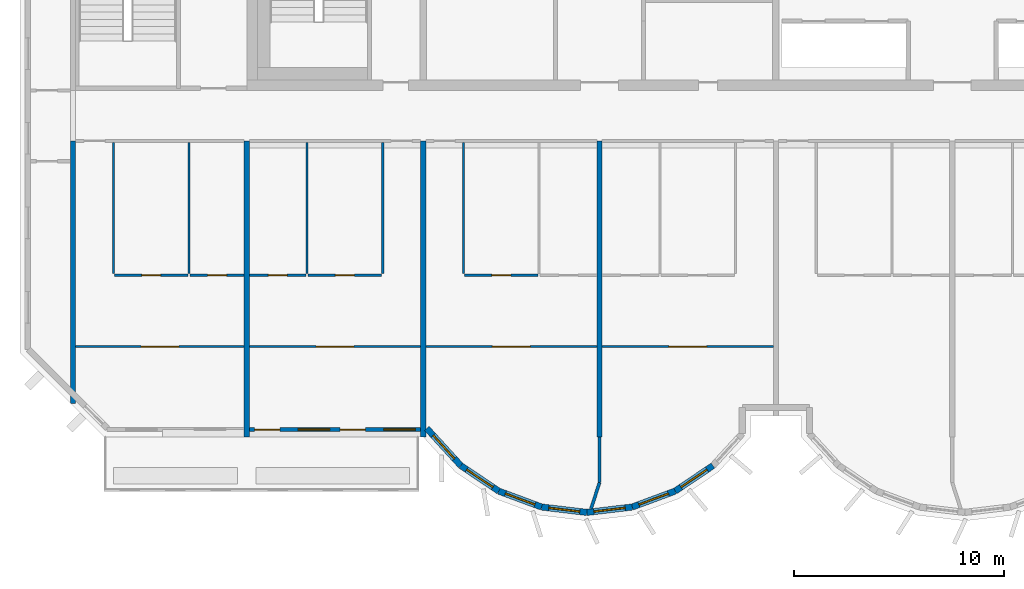
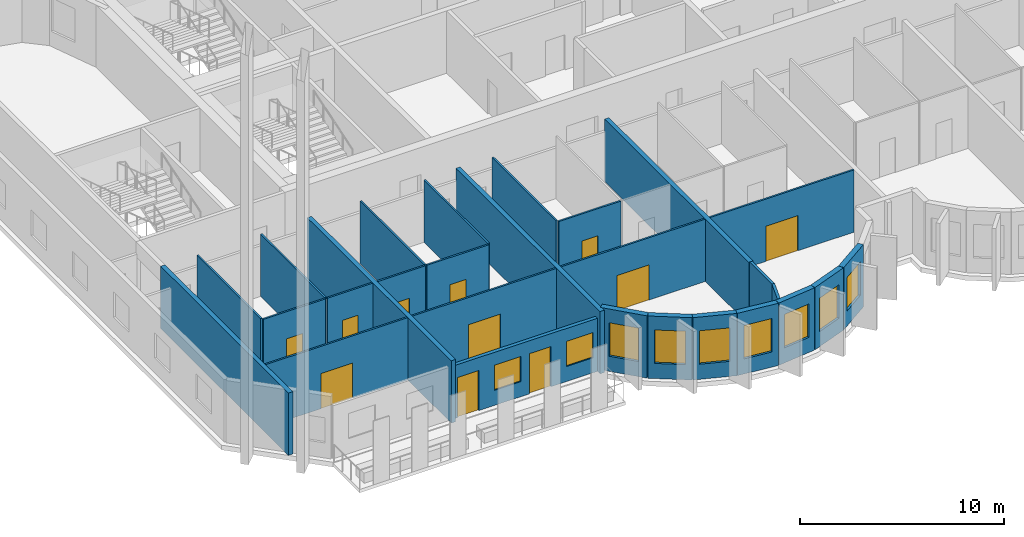
# One storey, part 2 of 13: 28 walls, 11 doors, 9 windows, 20 openings.
"""IFC4 building model written with IfcOpenShell, lengths in metres."""

import ifcopenshell
import ifcopenshell.guid

model = None  # the IFC model being written
_history = None  # IfcOwnerHistory: only IFC2X3 demands one
_inside = {}  # id of a spatial element -> (the spatial element, [elements in it])
_under = {}  # id of a project, library or spatial element -> (it, [spatial elements below it])
_declared = {}  # id of a project -> (the project, [libraries it declares])
_typed = {}  # id of a type object -> (the type object, [elements of that type])
_made_of = {}  # id of a material, layer set ... -> (it, [elements and type objects made of it])


def new_model(schema):
    """Start an empty IFC model of exactly this schema.

    Asked for "IFC4X3", IfcOpenShell would pick the latest addendum, in which some entities
    have other attributes; the version numbers below select the first issue.
    IFC2X3 requires an IfcOwnerHistory on every rooted entity: one is made here for all.
    """
    global model, _history
    if schema == "IFC4X3":
        model = ifcopenshell.file(schema_version=(4, 3, 0, 0))
    else:
        model = ifcopenshell.file(schema=schema)
    _inside.clear()
    _under.clear()
    _declared.clear()
    _typed.clear()
    _made_of.clear()
    _history = None
    if model.schema == "IFC2X3":
        org = make("IfcOrganization", Name="unknown")
        user = make(
            "IfcPersonAndOrganization",
            ThePerson=make("IfcPerson", FamilyName="unknown"),
            TheOrganization=org,
        )
        app = make(
            "IfcApplication",
            ApplicationDeveloper=org,
            Version="unknown",
            ApplicationFullName="unknown",
            ApplicationIdentifier="unknown",
        )
        _history = make(
            "IfcOwnerHistory",
            OwningUser=user,
            OwningApplication=app,
            ChangeAction="ADDED",
            CreationDate=0,
        )
    return model


def make(cls, **values):
    """One entity of the class cls with the attributes given. An attribute that is None is left unset."""
    return model.create_entity(
        cls, **{name: value for name, value in values.items() if value is not None}
    )


def rooted(cls, **values):
    """An entity with a GlobalId (a new one), such as an element, a storey or a relation."""
    return make(cls, GlobalId=ifcopenshell.guid.new(), OwnerHistory=_history, **values)


def si_unit(unit_type, name, prefix=None):
    """IfcSIUnit, for example si_unit("LENGTHUNIT", "METRE", prefix="MILLI")."""
    return make("IfcSIUnit", UnitType=unit_type, Prefix=prefix, Name=name)


def assignment(units):
    """IfcUnitAssignment: the units of a project."""
    return None if units is None else make("IfcUnitAssignment", Units=units)


def point(xyz):
    """IfcCartesianPoint."""
    return None if xyz is None else make("IfcCartesianPoint", Coordinates=xyz)


def direction(xyz):
    """IfcDirection."""
    return None if xyz is None else make("IfcDirection", DirectionRatios=xyz)


def frame(location, z_axis=None, x_axis=None):
    """IfcAxis2Placement3D, a coordinate frame: its origin and axes. An axis left out is left unset."""
    return make(
        "IfcAxis2Placement3D",
        Location=point(location),
        Axis=direction(z_axis),
        RefDirection=direction(x_axis),
    )


def frame_2d(location, x_axis=None):
    """IfcAxis2Placement2D, a coordinate frame in the plane: its origin and x axis."""
    return make(
        "IfcAxis2Placement2D", Location=point(location), RefDirection=direction(x_axis)
    )


def origin():
    """The frame at (0, 0, 0) with its axes left unset."""
    return frame((0.0, 0.0, 0.0))


def place(relative_to, where):
    """IfcLocalPlacement: puts the frame where relative to a parent placement (None: the world)."""
    return make(
        "IfcLocalPlacement", PlacementRelTo=relative_to, RelativePlacement=where
    )


def context(
    kind, dimensions, precision=None, world=None, true_north=None, identifier=None
):
    """IfcGeometricRepresentationContext, for example the 3D "Model" context."""
    return make(
        "IfcGeometricRepresentationContext",
        ContextIdentifier=identifier,
        ContextType=kind,
        CoordinateSpaceDimension=dimensions,
        Precision=precision,
        WorldCoordinateSystem=world,
        TrueNorth=true_north,
    )


def subcontext(parent, identifier, kind, view, scale=None):
    """IfcGeometricRepresentationSubContext, for example "Body" below "Model"."""
    return make(
        "IfcGeometricRepresentationSubContext",
        ContextIdentifier=identifier,
        ContextType=kind,
        ParentContext=parent,
        TargetScale=scale,
        TargetView=view,
    )


def project(units=None, contexts=None):
    """IfcProject with its units and contexts."""
    return rooted(
        "IfcProject",
        Name="project",
        RepresentationContexts=contexts,
        UnitsInContext=assignment(units),
    )


def spatial(cls, under=None, at=None, **own):
    """A site, building, storey or space (cls), placed at a placement, below another one or the project."""
    s = rooted(cls, ObjectPlacement=at, **own)
    if under is not None:
        _under.setdefault(under.id(), (under, []))[1].append(s)
    return s


def profile(cls, at=None, kind="AREA", **sizes):
    """A parametric profile (cls). Its sizes go by their IFC names, for example OverallWidth=200.0."""
    return make(cls, ProfileType=kind, Position=at, **sizes)


def rectangle(**sizes):
    """IfcRectangleProfileDef."""
    return profile("IfcRectangleProfileDef", **sizes)


def extrude(swept, where, along, depth):
    """IfcExtrudedAreaSolid: the profile swept, set in the frame where, extruded along a direction by depth."""
    return make(
        "IfcExtrudedAreaSolid",
        SweptArea=swept,
        Position=where,
        ExtrudedDirection=direction(along),
        Depth=depth,
    )


def shape(context_of_items, identifier, shape_type, items):
    """IfcShapeRepresentation: the items that make up one representation, for example the "Body"."""
    return make(
        "IfcShapeRepresentation",
        ContextOfItems=context_of_items,
        RepresentationIdentifier=identifier,
        RepresentationType=shape_type,
        Items=items,
    )


def source(mapping_origin, context_of_items, identifier, shape_type, items):
    """IfcRepresentationMap: a shape defined once, which mapped items show again and again."""
    return make(
        "IfcRepresentationMap",
        MappingOrigin=mapping_origin,
        MappedRepresentation=shape(context_of_items, identifier, shape_type, items),
    )


def transform(
    local_origin,
    x_axis=None,
    y_axis=None,
    z_axis=None,
    scale=None,
    scale2=None,
    scale3=None,
    uniform=True,
):
    """IfcCartesianTransformationOperator3D, or its non-uniform kind. x_axis, y_axis, z_axis: its Axis1, 2, 3."""
    if uniform:
        return make(
            "IfcCartesianTransformationOperator3D",
            Axis1=direction(x_axis),
            Axis2=direction(y_axis),
            LocalOrigin=point(local_origin),
            Scale=scale,
            Axis3=direction(z_axis),
        )
    return make(
        "IfcCartesianTransformationOperator3DnonUniform",
        Axis1=direction(x_axis),
        Axis2=direction(y_axis),
        LocalOrigin=point(local_origin),
        Scale=scale,
        Axis3=direction(z_axis),
        Scale2=scale2,
        Scale3=scale3,
    )


def mapped(mapping_source, mapping_target):
    """IfcMappedItem: shows the shape of a source again, moved by a transform."""
    return make(
        "IfcMappedItem", MappingSource=mapping_source, MappingTarget=mapping_target
    )


def material(Name=None, Category=None):
    """IfcMaterial."""
    return make("IfcMaterial", Name=Name, Category=Category)


def layer(
    of_material, thickness, ventilated=None, Name=None, Category=None, Priority=None
):
    """IfcMaterialLayer: one layer of a wall or slab, of a material (None: an air gap)."""
    return make(
        "IfcMaterialLayer",
        Material=of_material,
        LayerThickness=thickness,
        IsVentilated=ventilated,
        Name=Name,
        Category=Category,
        Priority=Priority,
    )


def layer_set(layers, Name=None):
    """IfcMaterialLayerSet."""
    return make("IfcMaterialLayerSet", MaterialLayers=layers, LayerSetName=Name)


def made_of(thing, what):
    """Note that an element or type object is made of a material, layer set ...; save() writes the relation."""
    if what is not None:
        _made_of.setdefault(what.id(), (what, []))[1].append(thing)
    return thing


def type_object(cls, material=None, **own):
    """A type object (cls), such as IfcWallType, which elements share."""
    return made_of(rooted(cls, **own), material)


def element(
    cls,
    number,
    at=None,
    inside=None,
    cuts=None,
    type_object=None,
    material=None,
    context=None,
    identifier="Body",
    shape_type=None,
    held_by="IfcProductDefinitionShape",
    body=None,
    shapes=None,
    **own,
):
    """One element of the class cls, such as IfcWall. Its Tag is "e" and its number.

    at: its placement. inside: the storey or other place that contains it. cuts: it is an
    opening in that element (IfcRelVoidsElement). A single representation is given by context,
    identifier, shape_type and body (its items); several are given by shapes. held_by: the class
    of the entity that holds the representations. save() writes the other relations.
    """
    e = rooted(cls, Tag="e%d" % number, ObjectPlacement=at, **own)
    if body is not None:
        shapes = [shape(context, identifier, shape_type, body)]
    if shapes is not None:
        e.Representation = make(held_by, Representations=shapes)
    if inside is not None:
        _inside.setdefault(inside.id(), (inside, []))[1].append(e)
    if cuts is not None:
        rooted(
            "IfcRelVoidsElement", RelatingBuildingElement=cuts, RelatedOpeningElement=e
        )
    if type_object is not None:
        _typed.setdefault(type_object.id(), (type_object, []))[1].append(e)
    return made_of(e, material)


def fill(opening, filler):
    """IfcRelFillsElement: the door or window that sits in an opening."""
    return rooted(
        "IfcRelFillsElement",
        RelatingOpeningElement=opening,
        RelatedBuildingElement=filler,
    )


def aggregate(whole, parts):
    """IfcRelAggregates: a whole, such as a stair, and the parts it consists of."""
    return rooted("IfcRelAggregates", RelatingObject=whole, RelatedObjects=parts)


def save(model, path):
    """Write the relations noted so far, then the file.

    IfcRelAggregates (storeys below a building ...), IfcRelContainedInSpatialStructure (elements
    in a storey), IfcRelDefinesByType, IfcRelAssociatesMaterial and IfcRelDeclares: one each for
    every whole, place, type object, material and project.
    """
    for whole, parts in _under.values():
        aggregate(whole, parts)
    for where, things in _inside.values():
        rooted(
            "IfcRelContainedInSpatialStructure",
            RelatedElements=things,
            RelatingStructure=where,
        )
    for kind, things in _typed.values():
        rooted("IfcRelDefinesByType", RelatedObjects=things, RelatingType=kind)
    for what, things in _made_of.values():
        rooted("IfcRelAssociatesMaterial", RelatedObjects=things, RelatingMaterial=what)
    for by, libraries in _declared.values():
        rooted("IfcRelDeclares", RelatingContext=by, RelatedDefinitions=libraries)
    model.write(path)


model = new_model("IFC4")

# Units and contexts
model_context = context("Model", 3, precision=1e-05, world=origin(), true_north=direction((0.0, 1.0)))
body_context = subcontext(model_context, "Body", "Model", "MODEL_VIEW")
ifc_project = project(units=[si_unit("LENGTHUNIT", "METRE"), si_unit("AREAUNIT", "SQUARE_METRE"), si_unit("VOLUMEUNIT", "CUBIC_METRE"), si_unit("PLANEANGLEUNIT", "RADIAN"), si_unit("MASSUNIT", "GRAM", prefix="KILO")], contexts=[model_context])

# Site, building, storey
site_placement = place(None, origin())
site = spatial("IfcSite", under=ifc_project, at=site_placement, CompositionType="ELEMENT")
building_placement = place(site_placement, origin())
building = spatial("IfcBuilding", under=site, at=building_placement, Name="Vanashikhar Sky Hotel", CompositionType="ELEMENT")
storey_placement = place(building_placement, frame((0.0, 0.0, 277.699951171875)))
storey = spatial("IfcBuildingStorey", under=building, at=storey_placement, Name="L66", CompositionType="ELEMENT", Elevation=277.699951171875)

# Walls
ifc_material_1 = material(Name="Concrete M50", Category="concrete")
ifc_layer_1 = layer(ifc_material_1, 0.25)
ifc_layer_set_1 = layer_set([ifc_layer_1], Name="RC shear wall 250 Concrete M50")
wall_type_1 = type_object("IfcWallType", Name="RC shear wall 250 Concrete M50", PredefinedType="SHEAR", material=ifc_layer_set_1)
shared_shape_1 = source(origin(), body_context, "Body", "SweptSolid", [
    extrude(rectangle(XDim=12.5, YDim=0.25, at=frame_2d((6.25, 0.0))), origin(), (0.0, 0.0, 1.0), 3.719970703125),
])
wall_1_placement = place(storey_placement, frame((16.925048828125, 7.10009765625, 0.0), z_axis=(0.0, 0.0, 1.0), x_axis=(0.0, 1.0, 0.0)))
element("IfcWall", 1, at=wall_1_placement, inside=storey, type_object=wall_type_1, Name="CW-L66-XW03-1", PredefinedType="SHEAR", context=body_context, shape_type="MappedRepresentation", body=[
    mapped(shared_shape_1, transform((0.0, 0.0, 0.0), scale=1.0)),
])
shared_shape_2 = source(origin(), body_context, "Body", "SweptSolid", [
    extrude(rectangle(XDim=14.10009765625, YDim=0.25, at=frame_2d((7.050048828125, 0.0))), origin(), (0.0, 0.0, 1.0), 3.719970703125),
])
for number, where, z_axis, x_axis, name in (
    (2, (25.199951171875, 5.5, 0.0), (0.0, 0.0, 1.0), (0.0, 1.0, 0.0), "CW-L66-XW04-1"),
    (3, (33.60009765625, 5.5, 0.0), (0.0, 0.0, 1.0), (0.0, 1.0, 0.0), "CW-L66-XW05-1"),
    (4, (42.0, 5.5, 0.0), (0.0, 0.0, 1.0), (0.0, 1.0, 0.0), "CW-L66-XW06-1"),
):
    element("IfcWall", number, at=place(storey_placement, frame(where, z_axis=z_axis, x_axis=x_axis)), inside=storey, type_object=wall_type_1, Name=name, PredefinedType="SHEAR", context=body_context, shape_type="MappedRepresentation", body=[
        mapped(shared_shape_2, transform((0.0, 0.0, 0.0), scale=1.0)),
    ])

# Wall, openings, windows, doors
ifc_layer_2 = layer(ifc_material_1, 0.199951171875)
ifc_layer_set_2 = layer_set([ifc_layer_2], Name="Front window wall 200")
wall_type_2 = type_object("IfcWallType", Name="Front window wall 200", PredefinedType="SOLIDWALL", material=ifc_layer_set_2)
shared_shape_3 = source(origin(), body_context, "Body", "SweptSolid", [
    extrude(rectangle(XDim=8.150146484375, YDim=0.199951171875, at=frame_2d((4.0751953125, 0.0))), origin(), (0.0, 0.0, 1.0), 3.170166015625),
])
wall_2_placement = place(storey_placement, frame((25.324951171875, 5.85009765625, 0.0), z_axis=(0.0, 0.0, 1.0), x_axis=(1.0, 0.0, 0.0)))
wall_2 = element("IfcWall", 5, at=wall_2_placement, inside=storey, type_object=wall_type_2, Name="Front window wall", PredefinedType="SOLIDWALL", context=body_context, shape_type="MappedRepresentation", body=[
    mapped(shared_shape_3, transform((0.0, 0.0, 0.0), scale=1.0)),
])
shared_shape_4 = source(origin(), body_context, "Body", "SweptSolid", [
    extrude(rectangle(XDim=1.199951171875, YDim=2.39990234375, at=frame_2d((0.60009765625, 1.199951171875))), frame((0.0, 0.10986328125, 0.0), z_axis=(0.0, -1.0, 0.0), x_axis=(1.0, 0.0, 0.0)), (0.0, 0.0, 1.0), 0.219970703125),
])
opening_1_placement = place(wall_2_placement, frame((0.25, 0.0, 0.0)))
opening_1 = element("IfcOpeningElement", 6, at=opening_1_placement, cuts=wall_2, Name="Opening BD-01", PredefinedType="OPENING", context=body_context, shape_type="MappedRepresentation", body=[
    mapped(shared_shape_4, transform((0.0, 0.0, 0.0), scale=1.0)),
])
shared_shape_5 = source(origin(), body_context, "Body", "SweptSolid", [
    extrude(rectangle(XDim=1.5, YDim=1.5, at=frame_2d((0.75, 0.75))), frame((0.0, 0.10986328125, 0.0), z_axis=(0.0, -1.0, 0.0), x_axis=(1.0, 0.0, 0.0)), (0.0, 0.0, 1.0), 0.219970703125),
])
opening_2_placement = place(wall_2_placement, frame((2.324951171875, 0.0, 0.89990234375)))
opening_2 = element("IfcOpeningElement", 7, at=opening_2_placement, cuts=wall_2, Name="Opening WN-1", PredefinedType="OPENING", context=body_context, shape_type="MappedRepresentation", body=[
    mapped(shared_shape_5, transform((0.0, 0.0, 0.0), scale=1.0)),
])
opening_3_placement = place(wall_2_placement, frame((4.324951171875, 0.0, 0.0)))
opening_3 = element("IfcOpeningElement", 8, at=opening_3_placement, cuts=wall_2, Name="Opening BD-02", PredefinedType="OPENING", context=body_context, shape_type="MappedRepresentation", body=[
    mapped(shared_shape_4, transform((0.0, 0.0, 0.0), scale=1.0)),
])
opening_4_placement = place(wall_2_placement, frame((6.39990234375, 0.0, 0.89990234375)))
opening_4 = element("IfcOpeningElement", 9, at=opening_4_placement, cuts=wall_2, Name="Opening WN-1", PredefinedType="OPENING", context=body_context, shape_type="MappedRepresentation", body=[
    mapped(shared_shape_5, transform((0.0, 0.0, 0.0), scale=1.0)),
])
ifc_material_2 = material(Name="Glass", Category="glass")
window_type_1 = type_object("IfcWindowType", Name="Window 1500 x 1500", PartitioningType="SINGLE_PANEL", PredefinedType="WINDOW", material=ifc_material_2)
shared_shape_6 = source(origin(), body_context, "Body", "SweptSolid", [
    extrude(rectangle(XDim=1.5, YDim=1.5, at=frame_2d((0.75, 0.75))), frame((0.0, 0.030029296875, 0.0), z_axis=(0.0, -1.0, 0.0), x_axis=(1.0, 0.0, 0.0)), (0.0, 0.0, 1.0), 0.06005859375),
])
window_1_placement = place(opening_2_placement, origin())
window_1 = element("IfcWindow", 10, at=window_1_placement, inside=storey, type_object=window_type_1, Name="Window WN-1", OverallHeight=1.5, OverallWidth=1.5, PartitioningType="SINGLE_PANEL", PredefinedType="WINDOW", context=body_context, shape_type="MappedRepresentation", body=[
    mapped(shared_shape_6, transform((0.0, 0.0, 0.0), scale=1.0)),
])
fill(opening_2, window_1)
window_2_placement = place(opening_4_placement, origin())
window_2 = element("IfcWindow", 11, at=window_2_placement, inside=storey, type_object=window_type_1, Name="Window WN-1", OverallHeight=1.5, OverallWidth=1.5, PartitioningType="SINGLE_PANEL", PredefinedType="WINDOW", context=body_context, shape_type="MappedRepresentation", body=[
    mapped(shared_shape_6, transform((0.0, 0.0, 0.0), scale=1.0)),
])
fill(opening_4, window_2)
ifc_material_3 = material(Name="Aluminium", Category="aluminium")
door_type_1 = type_object("IfcDoorType", Name="Balcony sliding door 1200 x 2400", OperationType="NOTDEFINED", PredefinedType="DOOR", material=ifc_material_3)
shared_shape_7 = source(origin(), body_context, "Body", "SweptSolid", [
    extrude(rectangle(XDim=1.199951171875, YDim=2.39990234375, at=frame_2d((0.60009765625, 1.199951171875))), frame((0.0, 0.02490234375, 0.0), z_axis=(0.0, -1.0, 0.0), x_axis=(1.0, 0.0, 0.0)), (0.0, 0.0, 1.0), 0.050048828125),
])
door_1_placement = place(opening_1_placement, origin())
door_1 = element("IfcDoor", 12, at=door_1_placement, inside=storey, type_object=door_type_1, Name="Balcony sliding door", OperationType="SLIDING_TO_LEFT", OverallHeight=2.39990234375, OverallWidth=1.199951171875, PredefinedType="DOOR", context=body_context, shape_type="MappedRepresentation", body=[
    mapped(shared_shape_7, transform((0.0, 0.0, 0.0), scale=1.0)),
])
fill(opening_1, door_1)
door_2_placement = place(opening_3_placement, origin())
door_2 = element("IfcDoor", 13, at=door_2_placement, inside=storey, type_object=door_type_1, Name="Balcony sliding door", OperationType="SLIDING_TO_RIGHT", OverallHeight=2.39990234375, OverallWidth=1.199951171875, PredefinedType="DOOR", context=body_context, shape_type="MappedRepresentation", body=[
    mapped(shared_shape_7, transform((0.0, 0.0, 0.0), scale=1.0)),
])
fill(opening_3, door_2)

# Wall, opening, window
ifc_layer_3 = layer(ifc_material_1, 0.300048828125)
ifc_layer_set_3 = layer_set([ifc_layer_3], Name="Lobe wall 300")
wall_type_3 = type_object("IfcWallType", Name="Lobe wall 300", PredefinedType="SOLIDWALL", material=ifc_layer_set_3)
shared_shape_8 = source(origin(), body_context, "Body", "SweptSolid", [
    extrude(rectangle(XDim=2.398193359375, YDim=0.300048828125, at=frame_2d((1.19921875, 0.0))), origin(), (0.0, 0.0, 1.0), 3.719970703125),
])
wall_3_placement = place(storey_placement, frame((33.776123046875, 5.89990234375, 0.0), z_axis=(0.0, 0.0, 1.0), x_axis=(0.675374189419, -0.737475222815, 0.0)))
wall_3 = element("IfcWall", 14, at=wall_3_placement, inside=storey, type_object=wall_type_3, Name="Lobe wall", PredefinedType="SOLIDWALL", context=body_context, shape_type="MappedRepresentation", body=[
    mapped(shared_shape_8, transform((0.0, 0.0, 0.0), scale=1.0)),
])
shared_shape_9 = source(origin(), body_context, "Body", "SweptSolid", [
    extrude(rectangle(XDim=1.5, YDim=2.0, at=frame_2d((0.75, 1.0))), frame((0.0, 0.16015625, 0.0), z_axis=(0.0, -1.0, 0.0), x_axis=(1.0, 0.0, 0.0)), (0.0, 0.0, 1.0), 0.320068359375),
])
opening_5_placement = place(wall_3_placement, frame((0.44921875, 0.0, 0.89990234375)))
opening_5 = element("IfcOpeningElement", 15, at=opening_5_placement, cuts=wall_3, Name="Opening WN-2", PredefinedType="OPENING", context=body_context, shape_type="MappedRepresentation", body=[
    mapped(shared_shape_9, transform((0.0, 0.0, 0.0), scale=1.0)),
])
window_type_2 = type_object("IfcWindowType", Name="Lobe window 1500 x 2000", PartitioningType="SINGLE_PANEL", PredefinedType="WINDOW", material=ifc_material_2)
shared_shape_10 = source(origin(), body_context, "Body", "SweptSolid", [
    extrude(rectangle(XDim=1.5, YDim=2.0, at=frame_2d((0.75, 1.0))), frame((0.0, 0.030029296875, 0.0), z_axis=(0.0, -1.0, 0.0), x_axis=(1.0, 0.0, 0.0)), (0.0, 0.0, 1.0), 0.06005859375),
])
window_3_placement = place(opening_5_placement, origin())
window_3 = element("IfcWindow", 16, at=window_3_placement, inside=storey, type_object=window_type_2, Name="Window WN-2", OverallHeight=2.0, OverallWidth=1.5, PartitioningType="SINGLE_PANEL", PredefinedType="WINDOW", context=body_context, shape_type="MappedRepresentation", body=[
    mapped(shared_shape_10, transform((0.0, 0.0, 0.0), scale=1.0)),
])
fill(opening_5, window_3)

shared_shape_11 = source(origin(), body_context, "Body", "SweptSolid", [
    extrude(rectangle(XDim=2.17578125, YDim=0.300048828125, at=frame_2d((1.087890625, 0.0))), origin(), (0.0, 0.0, 1.0), 3.719970703125),
])
wall_4_placement = place(storey_placement, frame((35.395751953125, 4.13134765625, 0.0), z_axis=(0.0, 0.0, 1.0), x_axis=(0.829590746428, -0.558371913192, 0.0)))
wall_4 = element("IfcWall", 17, at=wall_4_placement, inside=storey, type_object=wall_type_3, Name="Lobe wall", PredefinedType="SOLIDWALL", context=body_context, shape_type="MappedRepresentation", body=[
    mapped(shared_shape_11, transform((0.0, 0.0, 0.0), scale=1.0)),
])
opening_6_placement = place(wall_4_placement, frame((0.337890625, 0.0, 0.89990234375)))
opening_6 = element("IfcOpeningElement", 18, at=opening_6_placement, cuts=wall_4, Name="Opening WN-2", PredefinedType="OPENING", context=body_context, shape_type="MappedRepresentation", body=[
    mapped(shared_shape_9, transform((0.0, 0.0, 0.0), scale=1.0)),
])
window_4_placement = place(opening_6_placement, origin())
window_4 = element("IfcWindow", 19, at=window_4_placement, inside=storey, type_object=window_type_2, Name="Window WN-2", OverallHeight=2.0, OverallWidth=1.5, PartitioningType="SINGLE_PANEL", PredefinedType="WINDOW", context=body_context, shape_type="MappedRepresentation", body=[
    mapped(shared_shape_10, transform((0.0, 0.0, 0.0), scale=1.0)),
])
fill(opening_6, window_4)

wall_5_placement = place(storey_placement, frame((37.20068359375, 2.91650390625, 0.0), z_axis=(0.0, 0.0, 1.0), x_axis=(0.93754555999, -0.347862505801, 0.0)))
wall_5 = element("IfcWall", 20, at=wall_5_placement, inside=storey, type_object=wall_type_3, Name="Lobe wall", PredefinedType="SOLIDWALL", context=body_context, shape_type="MappedRepresentation", body=[
    mapped(shared_shape_11, transform((0.0, 0.0, 0.0), scale=1.0)),
])
opening_7_placement = place(wall_5_placement, frame((0.337890625, 0.0, 0.89990234375)))
opening_7 = element("IfcOpeningElement", 21, at=opening_7_placement, cuts=wall_5, Name="Opening WN-2", PredefinedType="OPENING", context=body_context, shape_type="MappedRepresentation", body=[
    mapped(shared_shape_9, transform((0.0, 0.0, 0.0), scale=1.0)),
])
window_5_placement = place(opening_7_placement, origin())
window_5 = element("IfcWindow", 22, at=window_5_placement, inside=storey, type_object=window_type_2, Name="Window WN-2", OverallHeight=2.0, OverallWidth=1.5, PartitioningType="SINGLE_PANEL", PredefinedType="WINDOW", context=body_context, shape_type="MappedRepresentation", body=[
    mapped(shared_shape_10, transform((0.0, 0.0, 0.0), scale=1.0)),
])
fill(opening_7, window_5)

wall_6_placement = place(storey_placement, frame((45.59912109375, 2.91650390625, 0.0), z_axis=(0.0, 0.0, 1.0), x_axis=(0.829625727223, 0.558319937607, 0.0)))
wall_6 = element("IfcWall", 23, at=wall_6_placement, inside=storey, type_object=wall_type_3, Name="Lobe wall", PredefinedType="SOLIDWALL", context=body_context, shape_type="MappedRepresentation", body=[
    mapped(shared_shape_11, transform((0.0, 0.0, 0.0), scale=1.0)),
])
opening_8_placement = place(wall_6_placement, frame((0.337890625, 0.0, 0.89990234375)))
opening_8 = element("IfcOpeningElement", 24, at=opening_8_placement, cuts=wall_6, Name="Opening WN-2", PredefinedType="OPENING", context=body_context, shape_type="MappedRepresentation", body=[
    mapped(shared_shape_9, transform((0.0, 0.0, 0.0), scale=1.0)),
])
window_6_placement = place(opening_8_placement, origin())
window_6 = element("IfcWindow", 25, at=window_6_placement, inside=storey, type_object=window_type_2, Name="Window WN-2", OverallHeight=2.0, OverallWidth=1.5, PartitioningType="SINGLE_PANEL", PredefinedType="WINDOW", context=body_context, shape_type="MappedRepresentation", body=[
    mapped(shared_shape_10, transform((0.0, 0.0, 0.0), scale=1.0)),
])
fill(opening_8, window_6)

shared_shape_12 = source(origin(), body_context, "Body", "SweptSolid", [
    extrude(rectangle(XDim=2.174560546875, YDim=0.300048828125, at=frame_2d((1.08740234375, 0.0))), origin(), (0.0, 0.0, 1.0), 3.719970703125),
])
wall_7_placement = place(storey_placement, frame((39.240478515625, 2.15966796875, 0.0), z_axis=(0.0, 0.0, 1.0), x_axis=(0.993001132889, -0.118104826659, 0.0)))
wall_7 = element("IfcWall", 26, at=wall_7_placement, inside=storey, type_object=wall_type_3, Name="Lobe wall", PredefinedType="SOLIDWALL", context=body_context, shape_type="MappedRepresentation", body=[
    mapped(shared_shape_12, transform((0.0, 0.0, 0.0), scale=1.0)),
])
opening_9_placement = place(wall_7_placement, frame((0.33740234375, 0.0, 0.89990234375)))
opening_9 = element("IfcOpeningElement", 27, at=opening_9_placement, cuts=wall_7, Name="Opening WN-2", PredefinedType="OPENING", context=body_context, shape_type="MappedRepresentation", body=[
    mapped(shared_shape_9, transform((0.0, 0.0, 0.0), scale=1.0)),
])
window_7_placement = place(opening_9_placement, origin())
window_7 = element("IfcWindow", 28, at=window_7_placement, inside=storey, type_object=window_type_2, Name="Window WN-2", OverallHeight=2.0, OverallWidth=1.5, PartitioningType="SINGLE_PANEL", PredefinedType="WINDOW", context=body_context, shape_type="MappedRepresentation", body=[
    mapped(shared_shape_10, transform((0.0, 0.0, 0.0), scale=1.0)),
])
fill(opening_9, window_7)

shared_shape_13 = source(origin(), body_context, "Body", "SweptSolid", [
    extrude(rectangle(XDim=2.1748046875, YDim=0.300048828125, at=frame_2d((1.08740234375, 0.0))), origin(), (0.0, 0.0, 1.0), 3.719970703125),
])
wall_8_placement = place(storey_placement, frame((41.39990234375, 1.90283203125, 0.0), z_axis=(0.0, 0.0, 1.0), x_axis=(0.993002698611, 0.118091661648, 0.0)))
wall_8 = element("IfcWall", 29, at=wall_8_placement, inside=storey, type_object=wall_type_3, Name="Lobe wall", PredefinedType="SOLIDWALL", context=body_context, shape_type="MappedRepresentation", body=[
    mapped(shared_shape_13, transform((0.0, 0.0, 0.0), scale=1.0)),
])
opening_10_placement = place(wall_8_placement, frame((0.33740234375, 0.0, 0.89990234375)))
opening_10 = element("IfcOpeningElement", 30, at=opening_10_placement, cuts=wall_8, Name="Opening WN-2", PredefinedType="OPENING", context=body_context, shape_type="MappedRepresentation", body=[
    mapped(shared_shape_9, transform((0.0, 0.0, 0.0), scale=1.0)),
])
window_8_placement = place(opening_10_placement, origin())
window_8 = element("IfcWindow", 31, at=window_8_placement, inside=storey, type_object=window_type_2, Name="Window WN-2", OverallHeight=2.0, OverallWidth=1.5, PartitioningType="SINGLE_PANEL", PredefinedType="WINDOW", context=body_context, shape_type="MappedRepresentation", body=[
    mapped(shared_shape_10, transform((0.0, 0.0, 0.0), scale=1.0)),
])
fill(opening_10, window_8)

shared_shape_14 = source(origin(), body_context, "Body", "SweptSolid", [
    extrude(rectangle(XDim=2.175537109375, YDim=0.300048828125, at=frame_2d((1.087890625, 0.0))), origin(), (0.0, 0.0, 1.0), 3.719970703125),
])
wall_9_placement = place(storey_placement, frame((43.5595703125, 2.15966796875, 0.0), z_axis=(0.0, 0.0, 1.0), x_axis=(0.937531979054, 0.347899106424, 0.0)))
wall_9 = element("IfcWall", 32, at=wall_9_placement, inside=storey, type_object=wall_type_3, Name="Lobe wall", PredefinedType="SOLIDWALL", context=body_context, shape_type="MappedRepresentation", body=[
    mapped(shared_shape_14, transform((0.0, 0.0, 0.0), scale=1.0)),
])
opening_11_placement = place(wall_9_placement, frame((0.337890625, 0.0, 0.89990234375)))
opening_11 = element("IfcOpeningElement", 33, at=opening_11_placement, cuts=wall_9, Name="Opening WN-2", PredefinedType="OPENING", context=body_context, shape_type="MappedRepresentation", body=[
    mapped(shared_shape_9, transform((0.0, 0.0, 0.0), scale=1.0)),
])
window_9_placement = place(opening_11_placement, origin())
window_9 = element("IfcWindow", 34, at=window_9_placement, inside=storey, type_object=window_type_2, Name="Window WN-2", OverallHeight=2.0, OverallWidth=1.5, PartitioningType="SINGLE_PANEL", PredefinedType="WINDOW", context=body_context, shape_type="MappedRepresentation", body=[
    mapped(shared_shape_10, transform((0.0, 0.0, 0.0), scale=1.0)),
])
fill(opening_11, window_9)

# Walls
ifc_material_4 = material(Name="Gypsum plasterboard partition")
ifc_layer_4 = layer(ifc_material_4, 0.10009765625)
ifc_layer_set_4 = layer_set([ifc_layer_4], Name="Wet room partition 100")
wall_type_4 = type_object("IfcWallType", Name="Wet room partition 100", PredefinedType="PARTITIONING", material=ifc_layer_set_4)
shared_shape_15 = source(origin(), body_context, "Body", "SweptSolid", [
    extrude(rectangle(XDim=6.25, YDim=0.10009765625, at=frame_2d((3.125, 0.0))), origin(), (0.0, 0.0, 1.0), 3.719970703125),
])
for number, where, z_axis, x_axis, name in (
    (35, (18.85009765625, 13.27490234375, 0.0), (0.0, 0.0, 1.0), (0.0, 1.0, 0.0), "W-L66-PW001"),
    (36, (22.449951171875, 13.27490234375, 0.0), (0.0, 0.0, 1.0), (0.0, 1.0, 0.0), "W-L66-PW002"),
    (37, (31.675048828125, 13.27490234375, 0.0), (0.0, 0.0, 1.0), (0.0, 1.0, 0.0), "W-L66-PW007"),
    (38, (28.074951171875, 13.27490234375, 0.0), (0.0, 0.0, 1.0), (0.0, 1.0, 0.0), "W-L66-PW008"),
    (39, (35.52490234375, 13.27490234375, 0.0), (0.0, 0.0, 1.0), (0.0, 1.0, 0.0), "W-L66-PW013"),
):
    element("IfcWall", number, at=place(storey_placement, frame(where, z_axis=z_axis, x_axis=x_axis)), inside=storey, type_object=wall_type_4, Name=name, PredefinedType="PARTITIONING", context=body_context, shape_type="MappedRepresentation", body=[
        mapped(shared_shape_15, transform((0.0, 0.0, 0.0), scale=1.0)),
    ])

# Wall, opening, door
shared_shape_16 = source(origin(), body_context, "Body", "SweptSolid", [
    extrude(rectangle(XDim=3.5, YDim=0.10009765625, at=frame_2d((1.75, 0.0))), origin(), (0.0, 0.0, 1.0), 3.719970703125),
])
wall_10_placement = place(storey_placement, frame((18.89990234375, 13.199951171875, 0.0), z_axis=(0.0, 0.0, 1.0), x_axis=(1.0, 0.0, 0.0)))
wall_10 = element("IfcWall", 40, at=wall_10_placement, inside=storey, type_object=wall_type_4, Name="W-L66-PW003", PredefinedType="PARTITIONING", context=body_context, shape_type="MappedRepresentation", body=[
    mapped(shared_shape_16, transform((0.0, 0.0, 0.0), scale=1.0)),
])
shared_shape_17 = source(origin(), body_context, "Body", "SweptSolid", [
    extrude(rectangle(XDim=0.89990234375, YDim=2.10009765625, at=frame_2d((0.449951171875, 1.050048828125))), frame((0.0, 0.06005859375, 0.0), z_axis=(0.0, -1.0, 0.0), x_axis=(1.0, 0.0, 0.0)), (0.0, 0.0, 1.0), 0.1201171875),
])
opening_12_placement = place(wall_10_placement, frame((1.300048828125, 0.0, 0.0)))
opening_12 = element("IfcOpeningElement", 41, at=opening_12_placement, cuts=wall_10, Name="Opening D-02", PredefinedType="OPENING", context=body_context, shape_type="MappedRepresentation", body=[
    mapped(shared_shape_17, transform((0.0, 0.0, 0.0), scale=1.0)),
])
ifc_material_5 = material(Name="Timber door", Category="wood")
door_type_2 = type_object("IfcDoorType", Name="Internal door 900", OperationType="NOTDEFINED", PredefinedType="DOOR", material=ifc_material_5)
shared_shape_18 = source(origin(), body_context, "Body", "SweptSolid", [
    extrude(rectangle(XDim=0.89990234375, YDim=2.10009765625, at=frame_2d((0.449951171875, 1.050048828125))), frame((0.0, 0.02490234375, 0.0), z_axis=(0.0, -1.0, 0.0), x_axis=(1.0, 0.0, 0.0)), (0.0, 0.0, 1.0), 0.050048828125),
])
door_3_placement = place(opening_12_placement, origin())
door_3 = element("IfcDoor", 42, at=door_3_placement, inside=storey, type_object=door_type_2, Name="D-L66-001", OperationType="SINGLE_SWING_LEFT", OverallHeight=2.10009765625, OverallWidth=0.89990234375, PredefinedType="DOOR", context=body_context, shape_type="MappedRepresentation", body=[
    mapped(shared_shape_18, transform((0.0, 0.0, 0.0), scale=1.0)),
])
fill(opening_12, door_3)

wall_11_placement = place(storey_placement, frame((28.125, 13.199951171875, 0.0), z_axis=(0.0, 0.0, 1.0), x_axis=(1.0, 0.0, 0.0)))
wall_11 = element("IfcWall", 43, at=wall_11_placement, inside=storey, type_object=wall_type_4, Name="W-L66-PW009", PredefinedType="PARTITIONING", context=body_context, shape_type="MappedRepresentation", body=[
    mapped(shared_shape_16, transform((0.0, 0.0, 0.0), scale=1.0)),
])
opening_13_placement = place(wall_11_placement, frame((1.300048828125, 0.0, 0.0)))
opening_13 = element("IfcOpeningElement", 44, at=opening_13_placement, cuts=wall_11, Name="Opening D-02", PredefinedType="OPENING", context=body_context, shape_type="MappedRepresentation", body=[
    mapped(shared_shape_17, transform((0.0, 0.0, 0.0), scale=1.0)),
])
door_4_placement = place(opening_13_placement, origin())
door_4 = element("IfcDoor", 45, at=door_4_placement, inside=storey, type_object=door_type_2, Name="D-L66-005", OperationType="SINGLE_SWING_RIGHT", OverallHeight=2.10009765625, OverallWidth=0.89990234375, PredefinedType="DOOR", context=body_context, shape_type="MappedRepresentation", body=[
    mapped(shared_shape_18, transform((0.0, 0.0, 0.0), scale=1.0)),
])
fill(opening_13, door_4)

wall_12_placement = place(storey_placement, frame((35.574951171875, 13.199951171875, 0.0), z_axis=(0.0, 0.0, 1.0), x_axis=(1.0, 0.0, 0.0)))
wall_12 = element("IfcWall", 46, at=wall_12_placement, inside=storey, type_object=wall_type_4, Name="W-L66-PW015", PredefinedType="PARTITIONING", context=body_context, shape_type="MappedRepresentation", body=[
    mapped(shared_shape_16, transform((0.0, 0.0, 0.0), scale=1.0)),
])
opening_14_placement = place(wall_12_placement, frame((1.300048828125, 0.0, 0.0)))
opening_14 = element("IfcOpeningElement", 47, at=opening_14_placement, cuts=wall_12, Name="Opening D-02", PredefinedType="OPENING", context=body_context, shape_type="MappedRepresentation", body=[
    mapped(shared_shape_17, transform((0.0, 0.0, 0.0), scale=1.0)),
])
door_5_placement = place(opening_14_placement, origin())
door_5 = element("IfcDoor", 48, at=door_5_placement, inside=storey, type_object=door_type_2, Name="D-L66-009", OperationType="SINGLE_SWING_LEFT", OverallHeight=2.10009765625, OverallWidth=0.89990234375, PredefinedType="DOOR", context=body_context, shape_type="MappedRepresentation", body=[
    mapped(shared_shape_18, transform((0.0, 0.0, 0.0), scale=1.0)),
])
fill(opening_14, door_5)

shared_shape_19 = source(origin(), body_context, "Body", "SweptSolid", [
    extrude(rectangle(XDim=2.574951171875, YDim=0.10009765625, at=frame_2d((1.28759765625, 0.0))), origin(), (0.0, 0.0, 1.0), 3.719970703125),
])
wall_13_placement = place(storey_placement, frame((22.5, 13.199951171875, 0.0), z_axis=(0.0, 0.0, 1.0), x_axis=(1.0, 0.0, 0.0)))
wall_13 = element("IfcWall", 49, at=wall_13_placement, inside=storey, type_object=wall_type_4, Name="W-L66-PW004", PredefinedType="PARTITIONING", context=body_context, shape_type="MappedRepresentation", body=[
    mapped(shared_shape_19, transform((0.0, 0.0, 0.0), scale=1.0)),
])
opening_15_placement = place(wall_13_placement, frame((0.837890625, 0.0, 0.0)))
opening_15 = element("IfcOpeningElement", 50, at=opening_15_placement, cuts=wall_13, Name="Opening D-02", PredefinedType="OPENING", context=body_context, shape_type="MappedRepresentation", body=[
    mapped(shared_shape_17, transform((0.0, 0.0, 0.0), scale=1.0)),
])
door_6_placement = place(opening_15_placement, origin())
door_6 = element("IfcDoor", 51, at=door_6_placement, inside=storey, type_object=door_type_2, Name="D-L66-002", OperationType="SINGLE_SWING_LEFT", OverallHeight=2.10009765625, OverallWidth=0.89990234375, PredefinedType="DOOR", context=body_context, shape_type="MappedRepresentation", body=[
    mapped(shared_shape_18, transform((0.0, 0.0, 0.0), scale=1.0)),
])
fill(opening_15, door_6)

shared_shape_20 = source(origin(), body_context, "Body", "SweptSolid", [
    extrude(rectangle(XDim=8.02490234375, YDim=0.10009765625, at=frame_2d((4.012451171875, 0.0))), origin(), (0.0, 0.0, 1.0), 3.719970703125),
])
wall_14_placement = place(storey_placement, frame((17.050048828125, 9.802001953125, 0.0), z_axis=(0.0, 0.0, 1.0), x_axis=(1.0, 0.0, 0.0)))
wall_14 = element("IfcWall", 52, at=wall_14_placement, inside=storey, type_object=wall_type_4, Name="W-L66-PW005", PredefinedType="PARTITIONING", context=body_context, shape_type="MappedRepresentation", body=[
    mapped(shared_shape_20, transform((0.0, 0.0, 0.0), scale=1.0)),
])
shared_shape_21 = source(origin(), body_context, "Body", "SweptSolid", [
    extrude(rectangle(XDim=1.800048828125, YDim=2.10009765625, at=frame_2d((0.89990234375, 1.050048828125))), frame((0.0, 0.06005859375, 0.0), z_axis=(0.0, -1.0, 0.0), x_axis=(1.0, 0.0, 0.0)), (0.0, 0.0, 1.0), 0.1201171875),
])
opening_16_placement = place(wall_14_placement, frame((3.113037109375, 0.0, 0.0)))
opening_16 = element("IfcOpeningElement", 53, at=opening_16_placement, cuts=wall_14, Name="Opening D-08", PredefinedType="OPENING", context=body_context, shape_type="MappedRepresentation", body=[
    mapped(shared_shape_21, transform((0.0, 0.0, 0.0), scale=1.0)),
])
door_type_3 = type_object("IfcDoorType", Name="Double leaf door 1800", OperationType="NOTDEFINED", PredefinedType="DOOR", material=ifc_material_5)
shared_shape_22 = source(origin(), body_context, "Body", "SweptSolid", [
    extrude(rectangle(XDim=1.800048828125, YDim=2.10009765625, at=frame_2d((0.89990234375, 1.050048828125))), frame((0.0, 0.02490234375, 0.0), z_axis=(0.0, -1.0, 0.0), x_axis=(1.0, 0.0, 0.0)), (0.0, 0.0, 1.0), 0.050048828125),
])
door_7_placement = place(opening_16_placement, origin())
door_7 = element("IfcDoor", 54, at=door_7_placement, inside=storey, type_object=door_type_3, Name="D-L66-003", OperationType="DOUBLE_DOOR_SINGLE_SWING", OverallHeight=2.10009765625, OverallWidth=1.800048828125, PredefinedType="DOOR", context=body_context, shape_type="MappedRepresentation", body=[
    mapped(shared_shape_22, transform((0.0, 0.0, 0.0), scale=1.0)),
])
fill(opening_16, door_7)

shared_shape_23 = source(origin(), body_context, "Body", "SweptSolid", [
    extrude(rectangle(XDim=2.699951171875, YDim=0.10009765625, at=frame_2d((1.35009765625, 0.0))), origin(), (0.0, 0.0, 1.0), 3.719970703125),
])
wall_15_placement = place(storey_placement, frame((25.324951171875, 13.199951171875, 0.0), z_axis=(0.0, 0.0, 1.0), x_axis=(1.0, 0.0, 0.0)))
wall_15 = element("IfcWall", 55, at=wall_15_placement, inside=storey, type_object=wall_type_4, Name="W-L66-PW010", PredefinedType="PARTITIONING", context=body_context, shape_type="MappedRepresentation", body=[
    mapped(shared_shape_23, transform((0.0, 0.0, 0.0), scale=1.0)),
])
opening_17_placement = place(wall_15_placement, frame((0.89990234375, 0.0, 0.0)))
opening_17 = element("IfcOpeningElement", 56, at=opening_17_placement, cuts=wall_15, Name="Opening D-02", PredefinedType="OPENING", context=body_context, shape_type="MappedRepresentation", body=[
    mapped(shared_shape_17, transform((0.0, 0.0, 0.0), scale=1.0)),
])
door_8_placement = place(opening_17_placement, origin())
door_8 = element("IfcDoor", 57, at=door_8_placement, inside=storey, type_object=door_type_2, Name="D-L66-006", OperationType="SINGLE_SWING_RIGHT", OverallHeight=2.10009765625, OverallWidth=0.89990234375, PredefinedType="DOOR", context=body_context, shape_type="MappedRepresentation", body=[
    mapped(shared_shape_18, transform((0.0, 0.0, 0.0), scale=1.0)),
])
fill(opening_17, door_8)

shared_shape_24 = source(origin(), body_context, "Body", "SweptSolid", [
    extrude(rectangle(XDim=8.150146484375, YDim=0.10009765625, at=frame_2d((4.0751953125, 0.0))), origin(), (0.0, 0.0, 1.0), 3.719970703125),
])
wall_16_placement = place(storey_placement, frame((25.324951171875, 9.802001953125, 0.0), z_axis=(0.0, 0.0, 1.0), x_axis=(1.0, 0.0, 0.0)))
wall_16 = element("IfcWall", 58, at=wall_16_placement, inside=storey, type_object=wall_type_4, Name="W-L66-PW011", PredefinedType="PARTITIONING", context=body_context, shape_type="MappedRepresentation", body=[
    mapped(shared_shape_24, transform((0.0, 0.0, 0.0), scale=1.0)),
])
opening_18_placement = place(wall_16_placement, frame((3.175048828125, 0.0, 0.0)))
opening_18 = element("IfcOpeningElement", 59, at=opening_18_placement, cuts=wall_16, Name="Opening D-08", PredefinedType="OPENING", context=body_context, shape_type="MappedRepresentation", body=[
    mapped(shared_shape_21, transform((0.0, 0.0, 0.0), scale=1.0)),
])
door_9_placement = place(opening_18_placement, origin())
door_9 = element("IfcDoor", 60, at=door_9_placement, inside=storey, type_object=door_type_3, Name="D-L66-007", OperationType="DOUBLE_DOOR_SINGLE_SWING", OverallHeight=2.10009765625, OverallWidth=1.800048828125, PredefinedType="DOOR", context=body_context, shape_type="MappedRepresentation", body=[
    mapped(shared_shape_22, transform((0.0, 0.0, 0.0), scale=1.0)),
])
fill(opening_18, door_9)

shared_shape_25 = source(origin(), body_context, "Body", "SweptSolid", [
    extrude(rectangle(XDim=8.14990234375, YDim=0.10009765625, at=frame_2d((4.074951171875, 0.0))), origin(), (0.0, 0.0, 1.0), 3.719970703125),
])
wall_17_placement = place(storey_placement, frame((33.72509765625, 9.802001953125, 0.0), z_axis=(0.0, 0.0, 1.0), x_axis=(1.0, 0.0, 0.0)))
wall_17 = element("IfcWall", 61, at=wall_17_placement, inside=storey, type_object=wall_type_4, Name="W-L66-PW017", PredefinedType="PARTITIONING", context=body_context, shape_type="MappedRepresentation", body=[
    mapped(shared_shape_25, transform((0.0, 0.0, 0.0), scale=1.0)),
])
opening_19_placement = place(wall_17_placement, frame((3.175048828125, 0.0, 0.0)))
opening_19 = element("IfcOpeningElement", 62, at=opening_19_placement, cuts=wall_17, Name="Opening D-08", PredefinedType="OPENING", context=body_context, shape_type="MappedRepresentation", body=[
    mapped(shared_shape_21, transform((0.0, 0.0, 0.0), scale=1.0)),
])
door_10_placement = place(opening_19_placement, origin())
door_10 = element("IfcDoor", 63, at=door_10_placement, inside=storey, type_object=door_type_3, Name="D-L66-011", OperationType="DOUBLE_DOOR_SINGLE_SWING", OverallHeight=2.10009765625, OverallWidth=1.800048828125, PredefinedType="DOOR", context=body_context, shape_type="MappedRepresentation", body=[
    mapped(shared_shape_22, transform((0.0, 0.0, 0.0), scale=1.0)),
])
fill(opening_19, door_10)

wall_18_placement = place(storey_placement, frame((42.125, 9.802001953125, 0.0), z_axis=(0.0, 0.0, 1.0), x_axis=(1.0, 0.0, 0.0)))
wall_18 = element("IfcWall", 64, at=wall_18_placement, inside=storey, type_object=wall_type_4, Name="W-L66-PW023", PredefinedType="PARTITIONING", context=body_context, shape_type="MappedRepresentation", body=[
    mapped(shared_shape_25, transform((0.0, 0.0, 0.0), scale=1.0)),
])
opening_20_placement = place(wall_18_placement, frame((3.175048828125, 0.0, 0.0)))
opening_20 = element("IfcOpeningElement", 65, at=opening_20_placement, cuts=wall_18, Name="Opening D-08", PredefinedType="OPENING", context=body_context, shape_type="MappedRepresentation", body=[
    mapped(shared_shape_21, transform((0.0, 0.0, 0.0), scale=1.0)),
])
door_11_placement = place(opening_20_placement, origin())
door_11 = element("IfcDoor", 66, at=door_11_placement, inside=storey, type_object=door_type_3, Name="D-L66-015", OperationType="DOUBLE_DOOR_SINGLE_SWING", OverallHeight=2.10009765625, OverallWidth=1.800048828125, PredefinedType="DOOR", context=body_context, shape_type="MappedRepresentation", body=[
    mapped(shared_shape_22, transform((0.0, 0.0, 0.0), scale=1.0)),
])
fill(opening_20, door_11)

# Walls
ifc_layer_5 = layer(ifc_material_4, 0.14990234375)
ifc_layer_set_5 = layer_set([ifc_layer_5], Name="Corridor and demising partition 150")
wall_type_5 = type_object("IfcWallType", Name="Corridor and demising partition 150", PredefinedType="PARTITIONING", material=ifc_layer_set_5)
shared_shape_26 = source(origin(), body_context, "Body", "SweptSolid", [
    extrude(rectangle(XDim=2.177978515625, YDim=0.14990234375, at=frame_2d((1.0888671875, 0.0))), origin(), (0.0, 0.0, 1.0), 3.719970703125),
])
wall_19_placement = place(storey_placement, frame((42.0, 3.322021484375, 0.0), z_axis=(0.0, 0.0, 1.0), x_axis=(0.0, 1.0, 0.0)))
element("IfcWall", 67, at=wall_19_placement, inside=storey, type_object=wall_type_5, Name="W-L66-PW046", PredefinedType="PARTITIONING", context=body_context, shape_type="MappedRepresentation", body=[
    mapped(shared_shape_26, transform((0.0, 0.0, 0.0), scale=1.0)),
])
shared_shape_27 = source(origin(), body_context, "Body", "SweptSolid", [
    extrude(rectangle(XDim=1.308349609375, YDim=0.14990234375, at=frame_2d((0.654296875, 0.0))), origin(), (0.0, 0.0, 1.0), 3.719970703125),
])
wall_20_placement = place(storey_placement, frame((41.597900390625, 2.076904296875, 0.0), z_axis=(0.0, 0.0, 1.0), x_axis=(0.307313512187, 0.951608325535, 0.0)))
element("IfcWall", 68, at=wall_20_placement, inside=storey, type_object=wall_type_5, Name="W-L66-PW046B0", PredefinedType="PARTITIONING", context=body_context, shape_type="MappedRepresentation", body=[
    mapped(shared_shape_27, transform((0.0, 0.0, 0.0), scale=1.0)),
])

save(model, "model.ifc")
